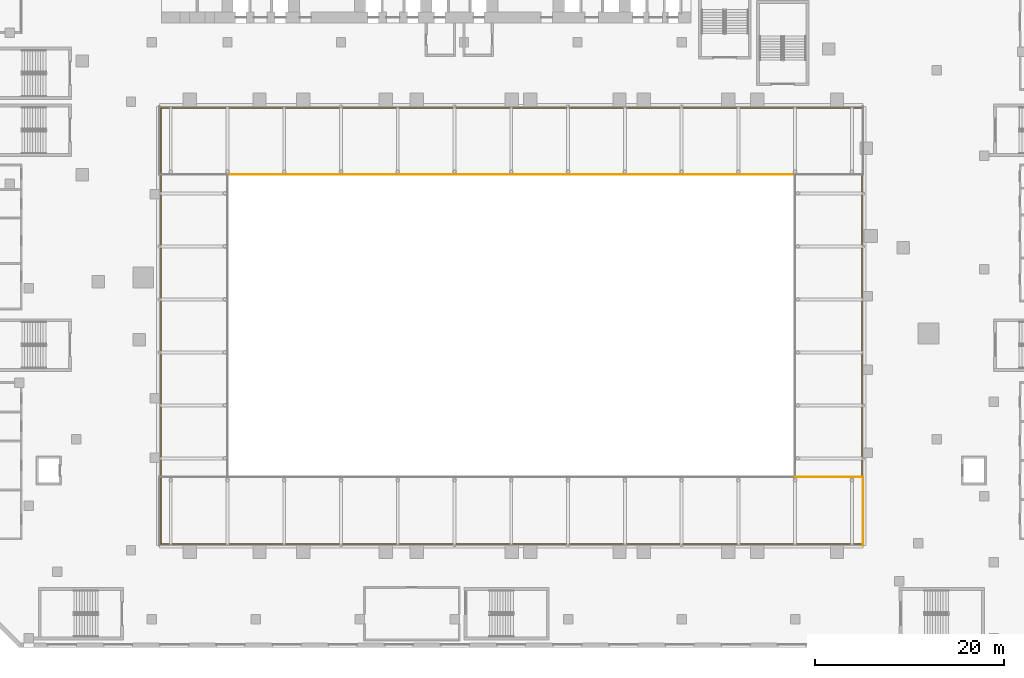
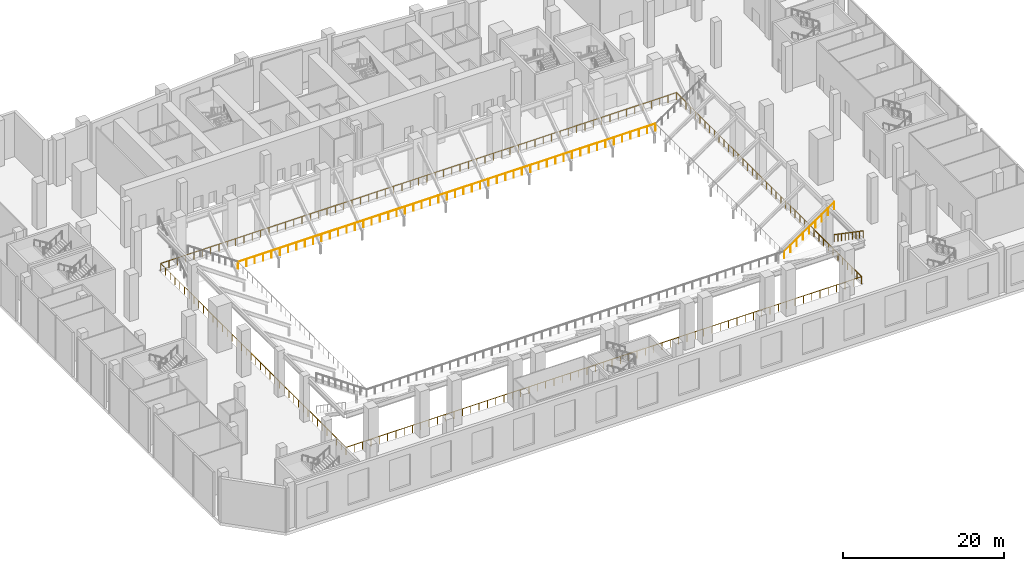
# One storey, part 35 of 41: 4 railings.
"""IFC4 building model written with IfcOpenShell, lengths in metres."""

import ifcopenshell
import ifcopenshell.guid

model = None  # the IFC model being written
_history = None  # IfcOwnerHistory: only IFC2X3 demands one
_inside = {}  # id of a spatial element -> (the spatial element, [elements in it])
_under = {}  # id of a project, library or spatial element -> (it, [spatial elements below it])
_declared = {}  # id of a project -> (the project, [libraries it declares])
_typed = {}  # id of a type object -> (the type object, [elements of that type])
_made_of = {}  # id of a material, layer set ... -> (it, [elements and type objects made of it])


def new_model(schema):
    """Start an empty IFC model of exactly this schema.

    Asked for "IFC4X3", IfcOpenShell would pick the latest addendum, in which some entities
    have other attributes; the version numbers below select the first issue.
    IFC2X3 requires an IfcOwnerHistory on every rooted entity: one is made here for all.
    """
    global model, _history
    if schema == "IFC4X3":
        model = ifcopenshell.file(schema_version=(4, 3, 0, 0))
    else:
        model = ifcopenshell.file(schema=schema)
    _inside.clear()
    _under.clear()
    _declared.clear()
    _typed.clear()
    _made_of.clear()
    _history = None
    if model.schema == "IFC2X3":
        org = make("IfcOrganization", Name="unknown")
        user = make(
            "IfcPersonAndOrganization",
            ThePerson=make("IfcPerson", FamilyName="unknown"),
            TheOrganization=org,
        )
        app = make(
            "IfcApplication",
            ApplicationDeveloper=org,
            Version="unknown",
            ApplicationFullName="unknown",
            ApplicationIdentifier="unknown",
        )
        _history = make(
            "IfcOwnerHistory",
            OwningUser=user,
            OwningApplication=app,
            ChangeAction="ADDED",
            CreationDate=0,
        )
    return model


def make(cls, **values):
    """One entity of the class cls with the attributes given. An attribute that is None is left unset."""
    return model.create_entity(
        cls, **{name: value for name, value in values.items() if value is not None}
    )


def rooted(cls, **values):
    """An entity with a GlobalId (a new one), such as an element, a storey or a relation."""
    return make(cls, GlobalId=ifcopenshell.guid.new(), OwnerHistory=_history, **values)


def si_unit(unit_type, name, prefix=None):
    """IfcSIUnit, for example si_unit("LENGTHUNIT", "METRE", prefix="MILLI")."""
    return make("IfcSIUnit", UnitType=unit_type, Prefix=prefix, Name=name)


def assignment(units):
    """IfcUnitAssignment: the units of a project."""
    return None if units is None else make("IfcUnitAssignment", Units=units)


def point(xyz):
    """IfcCartesianPoint."""
    return None if xyz is None else make("IfcCartesianPoint", Coordinates=xyz)


def direction(xyz):
    """IfcDirection."""
    return None if xyz is None else make("IfcDirection", DirectionRatios=xyz)


def frame(location, z_axis=None, x_axis=None):
    """IfcAxis2Placement3D, a coordinate frame: its origin and axes. An axis left out is left unset."""
    return make(
        "IfcAxis2Placement3D",
        Location=point(location),
        Axis=direction(z_axis),
        RefDirection=direction(x_axis),
    )


def frame_2d(location, x_axis=None):
    """IfcAxis2Placement2D, a coordinate frame in the plane: its origin and x axis."""
    return make(
        "IfcAxis2Placement2D", Location=point(location), RefDirection=direction(x_axis)
    )


def origin():
    """The frame at (0, 0, 0) with its axes left unset."""
    return frame((0.0, 0.0, 0.0))


def origin_2d():
    """The frame at (0, 0) in the plane with its x axis left unset."""
    return frame_2d((0.0, 0.0))


def place(relative_to, where):
    """IfcLocalPlacement: puts the frame where relative to a parent placement (None: the world)."""
    return make(
        "IfcLocalPlacement", PlacementRelTo=relative_to, RelativePlacement=where
    )


def context(
    kind, dimensions, precision=None, world=None, true_north=None, identifier=None
):
    """IfcGeometricRepresentationContext, for example the 3D "Model" context."""
    return make(
        "IfcGeometricRepresentationContext",
        ContextIdentifier=identifier,
        ContextType=kind,
        CoordinateSpaceDimension=dimensions,
        Precision=precision,
        WorldCoordinateSystem=world,
        TrueNorth=true_north,
    )


def subcontext(parent, identifier, kind, view, scale=None):
    """IfcGeometricRepresentationSubContext, for example "Body" below "Model"."""
    return make(
        "IfcGeometricRepresentationSubContext",
        ContextIdentifier=identifier,
        ContextType=kind,
        ParentContext=parent,
        TargetScale=scale,
        TargetView=view,
    )


def project(units=None, contexts=None):
    """IfcProject with its units and contexts."""
    return rooted(
        "IfcProject",
        Name="project",
        RepresentationContexts=contexts,
        UnitsInContext=assignment(units),
    )


def spatial(cls, under=None, at=None, **own):
    """A site, building, storey or space (cls), placed at a placement, below another one or the project."""
    s = rooted(cls, ObjectPlacement=at, **own)
    if under is not None:
        _under.setdefault(under.id(), (under, []))[1].append(s)
    return s


def profile(cls, at=None, kind="AREA", **sizes):
    """A parametric profile (cls). Its sizes go by their IFC names, for example OverallWidth=200.0."""
    return make(cls, ProfileType=kind, Position=at, **sizes)


def circle(**sizes):
    """IfcCircleProfileDef."""
    return profile("IfcCircleProfileDef", **sizes)


def extrude(swept, where, along, depth):
    """IfcExtrudedAreaSolid: the profile swept, set in the frame where, extruded along a direction by depth."""
    return make(
        "IfcExtrudedAreaSolid",
        SweptArea=swept,
        Position=where,
        ExtrudedDirection=direction(along),
        Depth=depth,
    )


def shape(context_of_items, identifier, shape_type, items):
    """IfcShapeRepresentation: the items that make up one representation, for example the "Body"."""
    return make(
        "IfcShapeRepresentation",
        ContextOfItems=context_of_items,
        RepresentationIdentifier=identifier,
        RepresentationType=shape_type,
        Items=items,
    )


def material(Name=None, Category=None):
    """IfcMaterial."""
    return make("IfcMaterial", Name=Name, Category=Category)


def made_of(thing, what):
    """Note that an element or type object is made of a material, layer set ...; save() writes the relation."""
    if what is not None:
        _made_of.setdefault(what.id(), (what, []))[1].append(thing)
    return thing


def type_object(cls, material=None, **own):
    """A type object (cls), such as IfcWallType, which elements share."""
    return made_of(rooted(cls, **own), material)


def element(
    cls,
    number,
    at=None,
    inside=None,
    cuts=None,
    type_object=None,
    material=None,
    context=None,
    identifier="Body",
    shape_type=None,
    held_by="IfcProductDefinitionShape",
    body=None,
    shapes=None,
    **own,
):
    """One element of the class cls, such as IfcWall. Its Tag is "e" and its number.

    at: its placement. inside: the storey or other place that contains it. cuts: it is an
    opening in that element (IfcRelVoidsElement). A single representation is given by context,
    identifier, shape_type and body (its items); several are given by shapes. held_by: the class
    of the entity that holds the representations. save() writes the other relations.
    """
    e = rooted(cls, Tag="e%d" % number, ObjectPlacement=at, **own)
    if body is not None:
        shapes = [shape(context, identifier, shape_type, body)]
    if shapes is not None:
        e.Representation = make(held_by, Representations=shapes)
    if inside is not None:
        _inside.setdefault(inside.id(), (inside, []))[1].append(e)
    if cuts is not None:
        rooted(
            "IfcRelVoidsElement", RelatingBuildingElement=cuts, RelatedOpeningElement=e
        )
    if type_object is not None:
        _typed.setdefault(type_object.id(), (type_object, []))[1].append(e)
    return made_of(e, material)


def aggregate(whole, parts):
    """IfcRelAggregates: a whole, such as a stair, and the parts it consists of."""
    return rooted("IfcRelAggregates", RelatingObject=whole, RelatedObjects=parts)


def save(model, path):
    """Write the relations noted so far, then the file.

    IfcRelAggregates (storeys below a building ...), IfcRelContainedInSpatialStructure (elements
    in a storey), IfcRelDefinesByType, IfcRelAssociatesMaterial and IfcRelDeclares: one each for
    every whole, place, type object, material and project.
    """
    for whole, parts in _under.values():
        aggregate(whole, parts)
    for where, things in _inside.values():
        rooted(
            "IfcRelContainedInSpatialStructure",
            RelatedElements=things,
            RelatingStructure=where,
        )
    for kind, things in _typed.values():
        rooted("IfcRelDefinesByType", RelatedObjects=things, RelatingType=kind)
    for what, things in _made_of.values():
        rooted("IfcRelAssociatesMaterial", RelatedObjects=things, RelatingMaterial=what)
    for by, libraries in _declared.values():
        rooted("IfcRelDeclares", RelatingContext=by, RelatedDefinitions=libraries)
    model.write(path)


model = new_model("IFC4")

# Units and contexts
model_context = context("Model", 3, precision=1e-05, world=origin(), true_north=direction((0.0, 1.0)))
body_context = subcontext(model_context, "Body", "Model", "MODEL_VIEW")
ifc_project = project(units=[si_unit("LENGTHUNIT", "METRE"), si_unit("AREAUNIT", "SQUARE_METRE"), si_unit("VOLUMEUNIT", "CUBIC_METRE"), si_unit("PLANEANGLEUNIT", "RADIAN"), si_unit("MASSUNIT", "GRAM", prefix="KILO")], contexts=[model_context])

# Site, building, storey
site_placement = place(None, origin())
site = spatial("IfcSite", under=ifc_project, at=site_placement, CompositionType="ELEMENT")
building_placement = place(site_placement, origin())
building = spatial("IfcBuilding", under=site, at=building_placement, Name="Wharfspan Tower", CompositionType="ELEMENT")
storey_placement = place(building_placement, frame((0.0, 0.0, 8.0)))
storey = spatial("IfcBuildingStorey", under=building, at=storey_placement, Name="L01", CompositionType="ELEMENT", Elevation=8.0)

# Railings
ifc_material = material(Name="Steel S355J2", Category="steel")
railing_type = type_object("IfcRailingType", Name="Guard 1100", PredefinedType="GUARDRAIL", material=ifc_material)
railing_1_placement = place(storey_placement, frame((8.949951, -21.050049, 0.0)))
element("IfcRailing", 1, at=railing_1_placement, inside=storey, type_object=railing_type, Name="Guard on the arena edge L01", PredefinedType="GUARDRAIL", context=body_context, shape_type="SweptSolid", body=[
    extrude(circle(Radius=0.024902, at=origin_2d()), frame((0.0, 0.0, 1.075195), z_axis=(1.0, 0.0, 0.0), x_axis=(0.0, 1.0, 0.0)), (0.0, 0.0, 1.0), 74.100098),
    extrude(circle(Radius=0.024902, at=origin_2d()), frame((74.100098, 0.0, 1.075195), z_axis=(0.0, 1.0, 0.0), x_axis=(-1.0, 0.0, 0.0)), (0.0, 0.0, 1.0), 46.100098),
    extrude(circle(Radius=0.024902, at=origin_2d()), frame((74.100098, 46.100098, 1.075195), z_axis=(-1.0, 0.0, 0.0), x_axis=(0.0, -1.0, 0.0)), (0.0, 0.0, 1.0), 74.100098),
    extrude(circle(Radius=0.024902, at=origin_2d()), frame((0.0, 46.100098, 1.075195), z_axis=(0.0, -1.0, 0.0), x_axis=(1.0, 0.0, 0.0)), (0.0, 0.0, 1.0), 46.100098),
    extrude(circle(Radius=0.02002, at=origin_2d()), origin(), (0.0, 0.0, 1.0), 1.050049),
    extrude(circle(Radius=0.02002, at=origin_2d()), frame((1.195068, 0.0, 0.0)), (0.0, 0.0, 1.0), 1.050049),
    extrude(circle(Radius=0.02002, at=origin_2d()), frame((2.390381, 0.0, 0.0)), (0.0, 0.0, 1.0), 1.050049),
    extrude(circle(Radius=0.02002, at=origin_2d()), frame((3.585449, 0.0, 0.0)), (0.0, 0.0, 1.0), 1.050049),
    extrude(circle(Radius=0.02002, at=origin_2d()), frame((4.780762, 0.0, 0.0)), (0.0, 0.0, 1.0), 1.050049),
    extrude(circle(Radius=0.02002, at=origin_2d()), frame((5.97583, 0.0, 0.0)), (0.0, 0.0, 1.0), 1.050049),
    extrude(circle(Radius=0.02002, at=origin_2d()), frame((7.170898, 0.0, 0.0)), (0.0, 0.0, 1.0), 1.050049),
    extrude(circle(Radius=0.02002, at=origin_2d()), frame((8.366211, 0.0, 0.0)), (0.0, 0.0, 1.0), 1.050049),
    extrude(circle(Radius=0.02002, at=origin_2d()), frame((9.561279, 0.0, 0.0)), (0.0, 0.0, 1.0), 1.050049),
    extrude(circle(Radius=0.02002, at=origin_2d()), frame((10.756348, 0.0, 0.0)), (0.0, 0.0, 1.0), 1.050049),
    extrude(circle(Radius=0.02002, at=origin_2d()), frame((11.95166, 0.0, 0.0)), (0.0, 0.0, 1.0), 1.050049),
    extrude(circle(Radius=0.02002, at=origin_2d()), frame((13.146729, 0.0, 0.0)), (0.0, 0.0, 1.0), 1.050049),
    extrude(circle(Radius=0.02002, at=origin_2d()), frame((14.342041, 0.0, 0.0)), (0.0, 0.0, 1.0), 1.050049),
    extrude(circle(Radius=0.02002, at=origin_2d()), frame((15.537109, 0.0, 0.0)), (0.0, 0.0, 1.0), 1.050049),
    extrude(circle(Radius=0.02002, at=origin_2d()), frame((16.732178, 0.0, 0.0)), (0.0, 0.0, 1.0), 1.050049),
    extrude(circle(Radius=0.02002, at=origin_2d()), frame((17.92749, 0.0, 0.0)), (0.0, 0.0, 1.0), 1.050049),
    extrude(circle(Radius=0.02002, at=origin_2d()), frame((19.122559, 0.0, 0.0)), (0.0, 0.0, 1.0), 1.050049),
    extrude(circle(Radius=0.02002, at=origin_2d()), frame((20.317871, 0.0, 0.0)), (0.0, 0.0, 1.0), 1.050049),
    extrude(circle(Radius=0.02002, at=origin_2d()), frame((21.512939, 0.0, 0.0)), (0.0, 0.0, 1.0), 1.050049),
    extrude(circle(Radius=0.02002, at=origin_2d()), frame((22.708008, 0.0, 0.0)), (0.0, 0.0, 1.0), 1.050049),
    extrude(circle(Radius=0.02002, at=origin_2d()), frame((23.90332, 0.0, 0.0)), (0.0, 0.0, 1.0), 1.050049),
    extrude(circle(Radius=0.02002, at=origin_2d()), frame((25.098389, 0.0, 0.0)), (0.0, 0.0, 1.0), 1.050049),
    extrude(circle(Radius=0.02002, at=origin_2d()), frame((26.293701, 0.0, 0.0)), (0.0, 0.0, 1.0), 1.050049),
    extrude(circle(Radius=0.02002, at=origin_2d()), frame((27.48877, 0.0, 0.0)), (0.0, 0.0, 1.0), 1.050049),
    extrude(circle(Radius=0.02002, at=origin_2d()), frame((28.683838, 0.0, 0.0)), (0.0, 0.0, 1.0), 1.050049),
    extrude(circle(Radius=0.02002, at=origin_2d()), frame((29.87915, 0.0, 0.0)), (0.0, 0.0, 1.0), 1.050049),
    extrude(circle(Radius=0.02002, at=origin_2d()), frame((31.074219, 0.0, 0.0)), (0.0, 0.0, 1.0), 1.050049),
    extrude(circle(Radius=0.02002, at=origin_2d()), frame((32.269287, 0.0, 0.0)), (0.0, 0.0, 1.0), 1.050049),
    extrude(circle(Radius=0.02002, at=origin_2d()), frame((33.4646, 0.0, 0.0)), (0.0, 0.0, 1.0), 1.050049),
    extrude(circle(Radius=0.02002, at=origin_2d()), frame((34.659668, 0.0, 0.0)), (0.0, 0.0, 1.0), 1.050049),
    extrude(circle(Radius=0.02002, at=origin_2d()), frame((35.85498, 0.0, 0.0)), (0.0, 0.0, 1.0), 1.050049),
    extrude(circle(Radius=0.02002, at=origin_2d()), frame((37.050049, 0.0, 0.0)), (0.0, 0.0, 1.0), 1.050049),
    extrude(circle(Radius=0.02002, at=origin_2d()), frame((38.245117, 0.0, 0.0)), (0.0, 0.0, 1.0), 1.050049),
    extrude(circle(Radius=0.02002, at=origin_2d()), frame((39.44043, 0.0, 0.0)), (0.0, 0.0, 1.0), 1.050049),
    extrude(circle(Radius=0.02002, at=origin_2d()), frame((40.635498, 0.0, 0.0)), (0.0, 0.0, 1.0), 1.050049),
    extrude(circle(Radius=0.02002, at=origin_2d()), frame((41.830811, 0.0, 0.0)), (0.0, 0.0, 1.0), 1.050049),
    extrude(circle(Radius=0.02002, at=origin_2d()), frame((43.025879, 0.0, 0.0)), (0.0, 0.0, 1.0), 1.050049),
    extrude(circle(Radius=0.02002, at=origin_2d()), frame((44.220947, 0.0, 0.0)), (0.0, 0.0, 1.0), 1.050049),
    extrude(circle(Radius=0.02002, at=origin_2d()), frame((45.41626, 0.0, 0.0)), (0.0, 0.0, 1.0), 1.050049),
    extrude(circle(Radius=0.02002, at=origin_2d()), frame((46.611328, 0.0, 0.0)), (0.0, 0.0, 1.0), 1.050049),
    extrude(circle(Radius=0.02002, at=origin_2d()), frame((47.806396, 0.0, 0.0)), (0.0, 0.0, 1.0), 1.050049),
    extrude(circle(Radius=0.02002, at=origin_2d()), frame((49.001709, 0.0, 0.0)), (0.0, 0.0, 1.0), 1.050049),
    extrude(circle(Radius=0.02002, at=origin_2d()), frame((50.196777, 0.0, 0.0)), (0.0, 0.0, 1.0), 1.050049),
    extrude(circle(Radius=0.02002, at=origin_2d()), frame((51.39209, 0.0, 0.0)), (0.0, 0.0, 1.0), 1.050049),
    extrude(circle(Radius=0.02002, at=origin_2d()), frame((52.587158, 0.0, 0.0)), (0.0, 0.0, 1.0), 1.050049),
    extrude(circle(Radius=0.02002, at=origin_2d()), frame((53.782227, 0.0, 0.0)), (0.0, 0.0, 1.0), 1.050049),
    extrude(circle(Radius=0.02002, at=origin_2d()), frame((54.977539, 0.0, 0.0)), (0.0, 0.0, 1.0), 1.050049),
    extrude(circle(Radius=0.02002, at=origin_2d()), frame((56.172607, 0.0, 0.0)), (0.0, 0.0, 1.0), 1.050049),
    extrude(circle(Radius=0.02002, at=origin_2d()), frame((57.36792, 0.0, 0.0)), (0.0, 0.0, 1.0), 1.050049),
    extrude(circle(Radius=0.02002, at=origin_2d()), frame((58.562988, 0.0, 0.0)), (0.0, 0.0, 1.0), 1.050049),
    extrude(circle(Radius=0.02002, at=origin_2d()), frame((59.758057, 0.0, 0.0)), (0.0, 0.0, 1.0), 1.050049),
    extrude(circle(Radius=0.02002, at=origin_2d()), frame((60.953369, 0.0, 0.0)), (0.0, 0.0, 1.0), 1.050049),
    extrude(circle(Radius=0.02002, at=origin_2d()), frame((62.148438, 0.0, 0.0)), (0.0, 0.0, 1.0), 1.050049),
    extrude(circle(Radius=0.02002, at=origin_2d()), frame((63.34375, 0.0, 0.0)), (0.0, 0.0, 1.0), 1.050049),
    extrude(circle(Radius=0.02002, at=origin_2d()), frame((64.538818, 0.0, 0.0)), (0.0, 0.0, 1.0), 1.050049),
    extrude(circle(Radius=0.02002, at=origin_2d()), frame((65.733887, 0.0, 0.0)), (0.0, 0.0, 1.0), 1.050049),
    extrude(circle(Radius=0.02002, at=origin_2d()), frame((66.929199, 0.0, 0.0)), (0.0, 0.0, 1.0), 1.050049),
    extrude(circle(Radius=0.02002, at=origin_2d()), frame((68.124268, 0.0, 0.0)), (0.0, 0.0, 1.0), 1.050049),
    extrude(circle(Radius=0.02002, at=origin_2d()), frame((69.319336, 0.0, 0.0)), (0.0, 0.0, 1.0), 1.050049),
    extrude(circle(Radius=0.02002, at=origin_2d()), frame((70.514648, 0.0, 0.0)), (0.0, 0.0, 1.0), 1.050049),
    extrude(circle(Radius=0.02002, at=origin_2d()), frame((71.709717, 0.0, 0.0)), (0.0, 0.0, 1.0), 1.050049),
    extrude(circle(Radius=0.02002, at=origin_2d()), frame((72.905029, 0.0, 0.0)), (0.0, 0.0, 1.0), 1.050049),
    extrude(circle(Radius=0.02002, at=origin_2d()), frame((74.100098, 0.0, 0.0)), (0.0, 0.0, 1.0), 1.050049),
    extrude(circle(Radius=0.02002, at=origin_2d()), frame((74.100098, 1.182129, 0.0)), (0.0, 0.0, 1.0), 1.050049),
    extrude(circle(Radius=0.02002, at=origin_2d()), frame((74.100098, 2.364014, 0.0)), (0.0, 0.0, 1.0), 1.050049),
    extrude(circle(Radius=0.02002, at=origin_2d()), frame((74.100098, 3.546143, 0.0)), (0.0, 0.0, 1.0), 1.050049),
    extrude(circle(Radius=0.02002, at=origin_2d()), frame((74.100098, 4.728271, 0.0)), (0.0, 0.0, 1.0), 1.050049),
    extrude(circle(Radius=0.02002, at=origin_2d()), frame((74.100098, 5.910156, 0.0)), (0.0, 0.0, 1.0), 1.050049),
    extrude(circle(Radius=0.02002, at=origin_2d()), frame((74.100098, 7.092285, 0.0)), (0.0, 0.0, 1.0), 1.050049),
    extrude(circle(Radius=0.02002, at=origin_2d()), frame((74.100098, 8.274414, 0.0)), (0.0, 0.0, 1.0), 1.050049),
    extrude(circle(Radius=0.02002, at=origin_2d()), frame((74.100098, 9.456543, 0.0)), (0.0, 0.0, 1.0), 1.050049),
    extrude(circle(Radius=0.02002, at=origin_2d()), frame((74.100098, 10.638428, 0.0)), (0.0, 0.0, 1.0), 1.050049),
    extrude(circle(Radius=0.02002, at=origin_2d()), frame((74.100098, 11.820557, 0.0)), (0.0, 0.0, 1.0), 1.050049),
    extrude(circle(Radius=0.02002, at=origin_2d()), frame((74.100098, 13.002686, 0.0)), (0.0, 0.0, 1.0), 1.050049),
    extrude(circle(Radius=0.02002, at=origin_2d()), frame((74.100098, 14.18457, 0.0)), (0.0, 0.0, 1.0), 1.050049),
    extrude(circle(Radius=0.02002, at=origin_2d()), frame((74.100098, 15.366699, 0.0)), (0.0, 0.0, 1.0), 1.050049),
    extrude(circle(Radius=0.02002, at=origin_2d()), frame((74.100098, 16.548828, 0.0)), (0.0, 0.0, 1.0), 1.050049),
    extrude(circle(Radius=0.02002, at=origin_2d()), frame((74.100098, 17.730713, 0.0)), (0.0, 0.0, 1.0), 1.050049),
    extrude(circle(Radius=0.02002, at=origin_2d()), frame((74.100098, 18.912842, 0.0)), (0.0, 0.0, 1.0), 1.050049),
    extrude(circle(Radius=0.02002, at=origin_2d()), frame((74.100098, 20.094971, 0.0)), (0.0, 0.0, 1.0), 1.050049),
    extrude(circle(Radius=0.02002, at=origin_2d()), frame((74.100098, 21.276855, 0.0)), (0.0, 0.0, 1.0), 1.050049),
    extrude(circle(Radius=0.02002, at=origin_2d()), frame((74.100098, 22.458984, 0.0)), (0.0, 0.0, 1.0), 1.050049),
    extrude(circle(Radius=0.02002, at=origin_2d()), frame((74.100098, 23.641113, 0.0)), (0.0, 0.0, 1.0), 1.050049),
    extrude(circle(Radius=0.02002, at=origin_2d()), frame((74.100098, 24.823242, 0.0)), (0.0, 0.0, 1.0), 1.050049),
    extrude(circle(Radius=0.02002, at=origin_2d()), frame((74.100098, 26.005127, 0.0)), (0.0, 0.0, 1.0), 1.050049),
    extrude(circle(Radius=0.02002, at=origin_2d()), frame((74.100098, 27.187256, 0.0)), (0.0, 0.0, 1.0), 1.050049),
    extrude(circle(Radius=0.02002, at=origin_2d()), frame((74.100098, 28.369385, 0.0)), (0.0, 0.0, 1.0), 1.050049),
    extrude(circle(Radius=0.02002, at=origin_2d()), frame((74.100098, 29.55127, 0.0)), (0.0, 0.0, 1.0), 1.050049),
    extrude(circle(Radius=0.02002, at=origin_2d()), frame((74.100098, 30.733398, 0.0)), (0.0, 0.0, 1.0), 1.050049),
    extrude(circle(Radius=0.02002, at=origin_2d()), frame((74.100098, 31.915527, 0.0)), (0.0, 0.0, 1.0), 1.050049),
    extrude(circle(Radius=0.02002, at=origin_2d()), frame((74.100098, 33.097412, 0.0)), (0.0, 0.0, 1.0), 1.050049),
    extrude(circle(Radius=0.02002, at=origin_2d()), frame((74.100098, 34.279541, 0.0)), (0.0, 0.0, 1.0), 1.050049),
    extrude(circle(Radius=0.02002, at=origin_2d()), frame((74.100098, 35.46167, 0.0)), (0.0, 0.0, 1.0), 1.050049),
    extrude(circle(Radius=0.02002, at=origin_2d()), frame((74.100098, 36.643555, 0.0)), (0.0, 0.0, 1.0), 1.050049),
    extrude(circle(Radius=0.02002, at=origin_2d()), frame((74.100098, 37.825684, 0.0)), (0.0, 0.0, 1.0), 1.050049),
    extrude(circle(Radius=0.02002, at=origin_2d()), frame((74.100098, 39.007812, 0.0)), (0.0, 0.0, 1.0), 1.050049),
    extrude(circle(Radius=0.02002, at=origin_2d()), frame((74.100098, 40.189941, 0.0)), (0.0, 0.0, 1.0), 1.050049),
    extrude(circle(Radius=0.02002, at=origin_2d()), frame((74.100098, 41.371826, 0.0)), (0.0, 0.0, 1.0), 1.050049),
    extrude(circle(Radius=0.02002, at=origin_2d()), frame((74.100098, 42.553955, 0.0)), (0.0, 0.0, 1.0), 1.050049),
    extrude(circle(Radius=0.02002, at=origin_2d()), frame((74.100098, 43.736084, 0.0)), (0.0, 0.0, 1.0), 1.050049),
    extrude(circle(Radius=0.02002, at=origin_2d()), frame((74.100098, 44.917969, 0.0)), (0.0, 0.0, 1.0), 1.050049),
    extrude(circle(Radius=0.02002, at=origin_2d()), frame((74.100098, 46.100098, 0.0)), (0.0, 0.0, 1.0), 1.050049),
    extrude(circle(Radius=0.02002, at=origin_2d()), frame((72.905029, 46.100098, 0.0)), (0.0, 0.0, 1.0), 1.050049),
    extrude(circle(Radius=0.02002, at=origin_2d()), frame((71.709717, 46.100098, 0.0)), (0.0, 0.0, 1.0), 1.050049),
    extrude(circle(Radius=0.02002, at=origin_2d()), frame((70.514648, 46.100098, 0.0)), (0.0, 0.0, 1.0), 1.050049),
    extrude(circle(Radius=0.02002, at=origin_2d()), frame((69.319336, 46.100098, 0.0)), (0.0, 0.0, 1.0), 1.050049),
    extrude(circle(Radius=0.02002, at=origin_2d()), frame((68.124268, 46.100098, 0.0)), (0.0, 0.0, 1.0), 1.050049),
    extrude(circle(Radius=0.02002, at=origin_2d()), frame((66.929199, 46.100098, 0.0)), (0.0, 0.0, 1.0), 1.050049),
    extrude(circle(Radius=0.02002, at=origin_2d()), frame((65.733887, 46.100098, 0.0)), (0.0, 0.0, 1.0), 1.050049),
    extrude(circle(Radius=0.02002, at=origin_2d()), frame((64.538818, 46.100098, 0.0)), (0.0, 0.0, 1.0), 1.050049),
    extrude(circle(Radius=0.02002, at=origin_2d()), frame((63.34375, 46.100098, 0.0)), (0.0, 0.0, 1.0), 1.050049),
    extrude(circle(Radius=0.02002, at=origin_2d()), frame((62.148438, 46.100098, 0.0)), (0.0, 0.0, 1.0), 1.050049),
    extrude(circle(Radius=0.02002, at=origin_2d()), frame((60.953369, 46.100098, 0.0)), (0.0, 0.0, 1.0), 1.050049),
    extrude(circle(Radius=0.02002, at=origin_2d()), frame((59.758057, 46.100098, 0.0)), (0.0, 0.0, 1.0), 1.050049),
    extrude(circle(Radius=0.02002, at=origin_2d()), frame((58.562988, 46.100098, 0.0)), (0.0, 0.0, 1.0), 1.050049),
    extrude(circle(Radius=0.02002, at=origin_2d()), frame((57.36792, 46.100098, 0.0)), (0.0, 0.0, 1.0), 1.050049),
    extrude(circle(Radius=0.02002, at=origin_2d()), frame((56.172607, 46.100098, 0.0)), (0.0, 0.0, 1.0), 1.050049),
    extrude(circle(Radius=0.02002, at=origin_2d()), frame((54.977539, 46.100098, 0.0)), (0.0, 0.0, 1.0), 1.050049),
    extrude(circle(Radius=0.02002, at=origin_2d()), frame((53.782227, 46.100098, 0.0)), (0.0, 0.0, 1.0), 1.050049),
    extrude(circle(Radius=0.02002, at=origin_2d()), frame((52.587158, 46.100098, 0.0)), (0.0, 0.0, 1.0), 1.050049),
    extrude(circle(Radius=0.02002, at=origin_2d()), frame((51.39209, 46.100098, 0.0)), (0.0, 0.0, 1.0), 1.050049),
    extrude(circle(Radius=0.02002, at=origin_2d()), frame((50.196777, 46.100098, 0.0)), (0.0, 0.0, 1.0), 1.050049),
    extrude(circle(Radius=0.02002, at=origin_2d()), frame((49.001709, 46.100098, 0.0)), (0.0, 0.0, 1.0), 1.050049),
    extrude(circle(Radius=0.02002, at=origin_2d()), frame((47.806396, 46.100098, 0.0)), (0.0, 0.0, 1.0), 1.050049),
    extrude(circle(Radius=0.02002, at=origin_2d()), frame((46.611328, 46.100098, 0.0)), (0.0, 0.0, 1.0), 1.050049),
    extrude(circle(Radius=0.02002, at=origin_2d()), frame((45.41626, 46.100098, 0.0)), (0.0, 0.0, 1.0), 1.050049),
    extrude(circle(Radius=0.02002, at=origin_2d()), frame((44.220947, 46.100098, 0.0)), (0.0, 0.0, 1.0), 1.050049),
    extrude(circle(Radius=0.02002, at=origin_2d()), frame((43.025879, 46.100098, 0.0)), (0.0, 0.0, 1.0), 1.050049),
    extrude(circle(Radius=0.02002, at=origin_2d()), frame((41.830811, 46.100098, 0.0)), (0.0, 0.0, 1.0), 1.050049),
    extrude(circle(Radius=0.02002, at=origin_2d()), frame((40.635498, 46.100098, 0.0)), (0.0, 0.0, 1.0), 1.050049),
    extrude(circle(Radius=0.02002, at=origin_2d()), frame((39.44043, 46.100098, 0.0)), (0.0, 0.0, 1.0), 1.050049),
    extrude(circle(Radius=0.02002, at=origin_2d()), frame((38.245117, 46.100098, 0.0)), (0.0, 0.0, 1.0), 1.050049),
    extrude(circle(Radius=0.02002, at=origin_2d()), frame((37.050049, 46.100098, 0.0)), (0.0, 0.0, 1.0), 1.050049),
    extrude(circle(Radius=0.02002, at=origin_2d()), frame((35.85498, 46.100098, 0.0)), (0.0, 0.0, 1.0), 1.050049),
    extrude(circle(Radius=0.02002, at=origin_2d()), frame((34.659668, 46.100098, 0.0)), (0.0, 0.0, 1.0), 1.050049),
    extrude(circle(Radius=0.02002, at=origin_2d()), frame((33.4646, 46.100098, 0.0)), (0.0, 0.0, 1.0), 1.050049),
    extrude(circle(Radius=0.02002, at=origin_2d()), frame((32.269287, 46.100098, 0.0)), (0.0, 0.0, 1.0), 1.050049),
    extrude(circle(Radius=0.02002, at=origin_2d()), frame((31.074219, 46.100098, 0.0)), (0.0, 0.0, 1.0), 1.050049),
    extrude(circle(Radius=0.02002, at=origin_2d()), frame((29.87915, 46.100098, 0.0)), (0.0, 0.0, 1.0), 1.050049),
    extrude(circle(Radius=0.02002, at=origin_2d()), frame((28.683838, 46.100098, 0.0)), (0.0, 0.0, 1.0), 1.050049),
    extrude(circle(Radius=0.02002, at=origin_2d()), frame((27.48877, 46.100098, 0.0)), (0.0, 0.0, 1.0), 1.050049),
    extrude(circle(Radius=0.02002, at=origin_2d()), frame((26.293701, 46.100098, 0.0)), (0.0, 0.0, 1.0), 1.050049),
    extrude(circle(Radius=0.02002, at=origin_2d()), frame((25.098389, 46.100098, 0.0)), (0.0, 0.0, 1.0), 1.050049),
    extrude(circle(Radius=0.02002, at=origin_2d()), frame((23.90332, 46.100098, 0.0)), (0.0, 0.0, 1.0), 1.050049),
    extrude(circle(Radius=0.02002, at=origin_2d()), frame((22.708008, 46.100098, 0.0)), (0.0, 0.0, 1.0), 1.050049),
    extrude(circle(Radius=0.02002, at=origin_2d()), frame((21.512939, 46.100098, 0.0)), (0.0, 0.0, 1.0), 1.050049),
    extrude(circle(Radius=0.02002, at=origin_2d()), frame((20.317871, 46.100098, 0.0)), (0.0, 0.0, 1.0), 1.050049),
    extrude(circle(Radius=0.02002, at=origin_2d()), frame((19.122559, 46.100098, 0.0)), (0.0, 0.0, 1.0), 1.050049),
    extrude(circle(Radius=0.02002, at=origin_2d()), frame((17.92749, 46.100098, 0.0)), (0.0, 0.0, 1.0), 1.050049),
    extrude(circle(Radius=0.02002, at=origin_2d()), frame((16.732178, 46.100098, 0.0)), (0.0, 0.0, 1.0), 1.050049),
    extrude(circle(Radius=0.02002, at=origin_2d()), frame((15.537109, 46.100098, 0.0)), (0.0, 0.0, 1.0), 1.050049),
    extrude(circle(Radius=0.02002, at=origin_2d()), frame((14.342041, 46.100098, 0.0)), (0.0, 0.0, 1.0), 1.050049),
    extrude(circle(Radius=0.02002, at=origin_2d()), frame((13.146729, 46.100098, 0.0)), (0.0, 0.0, 1.0), 1.050049),
    extrude(circle(Radius=0.02002, at=origin_2d()), frame((11.95166, 46.100098, 0.0)), (0.0, 0.0, 1.0), 1.050049),
    extrude(circle(Radius=0.02002, at=origin_2d()), frame((10.756348, 46.100098, 0.0)), (0.0, 0.0, 1.0), 1.050049),
    extrude(circle(Radius=0.02002, at=origin_2d()), frame((9.561279, 46.100098, 0.0)), (0.0, 0.0, 1.0), 1.050049),
    extrude(circle(Radius=0.02002, at=origin_2d()), frame((8.366211, 46.100098, 0.0)), (0.0, 0.0, 1.0), 1.050049),
    extrude(circle(Radius=0.02002, at=origin_2d()), frame((7.170898, 46.100098, 0.0)), (0.0, 0.0, 1.0), 1.050049),
    extrude(circle(Radius=0.02002, at=origin_2d()), frame((5.97583, 46.100098, 0.0)), (0.0, 0.0, 1.0), 1.050049),
    extrude(circle(Radius=0.02002, at=origin_2d()), frame((4.780762, 46.100098, 0.0)), (0.0, 0.0, 1.0), 1.050049),
    extrude(circle(Radius=0.02002, at=origin_2d()), frame((3.585449, 46.100098, 0.0)), (0.0, 0.0, 1.0), 1.050049),
    extrude(circle(Radius=0.02002, at=origin_2d()), frame((2.390381, 46.100098, 0.0)), (0.0, 0.0, 1.0), 1.050049),
    extrude(circle(Radius=0.02002, at=origin_2d()), frame((1.195068, 46.100098, 0.0)), (0.0, 0.0, 1.0), 1.050049),
    extrude(circle(Radius=0.02002, at=origin_2d()), frame((0.0, 46.100098, 0.0)), (0.0, 0.0, 1.0), 1.050049),
    extrude(circle(Radius=0.02002, at=origin_2d()), frame((0.0, 44.917969, 0.0)), (0.0, 0.0, 1.0), 1.050049),
    extrude(circle(Radius=0.02002, at=origin_2d()), frame((0.0, 43.736084, 0.0)), (0.0, 0.0, 1.0), 1.050049),
    extrude(circle(Radius=0.02002, at=origin_2d()), frame((0.0, 42.553955, 0.0)), (0.0, 0.0, 1.0), 1.050049),
    extrude(circle(Radius=0.02002, at=origin_2d()), frame((0.0, 41.371826, 0.0)), (0.0, 0.0, 1.0), 1.050049),
    extrude(circle(Radius=0.02002, at=origin_2d()), frame((0.0, 40.189941, 0.0)), (0.0, 0.0, 1.0), 1.050049),
    extrude(circle(Radius=0.02002, at=origin_2d()), frame((0.0, 39.007812, 0.0)), (0.0, 0.0, 1.0), 1.050049),
    extrude(circle(Radius=0.02002, at=origin_2d()), frame((0.0, 37.825684, 0.0)), (0.0, 0.0, 1.0), 1.050049),
    extrude(circle(Radius=0.02002, at=origin_2d()), frame((0.0, 36.643555, 0.0)), (0.0, 0.0, 1.0), 1.050049),
    extrude(circle(Radius=0.02002, at=origin_2d()), frame((0.0, 35.46167, 0.0)), (0.0, 0.0, 1.0), 1.050049),
    extrude(circle(Radius=0.02002, at=origin_2d()), frame((0.0, 34.279541, 0.0)), (0.0, 0.0, 1.0), 1.050049),
    extrude(circle(Radius=0.02002, at=origin_2d()), frame((0.0, 33.097412, 0.0)), (0.0, 0.0, 1.0), 1.050049),
    extrude(circle(Radius=0.02002, at=origin_2d()), frame((0.0, 31.915527, 0.0)), (0.0, 0.0, 1.0), 1.050049),
    extrude(circle(Radius=0.02002, at=origin_2d()), frame((0.0, 30.733398, 0.0)), (0.0, 0.0, 1.0), 1.050049),
    extrude(circle(Radius=0.02002, at=origin_2d()), frame((0.0, 29.55127, 0.0)), (0.0, 0.0, 1.0), 1.050049),
    extrude(circle(Radius=0.02002, at=origin_2d()), frame((0.0, 28.369385, 0.0)), (0.0, 0.0, 1.0), 1.050049),
    extrude(circle(Radius=0.02002, at=origin_2d()), frame((0.0, 27.187256, 0.0)), (0.0, 0.0, 1.0), 1.050049),
    extrude(circle(Radius=0.02002, at=origin_2d()), frame((0.0, 26.005127, 0.0)), (0.0, 0.0, 1.0), 1.050049),
    extrude(circle(Radius=0.02002, at=origin_2d()), frame((0.0, 24.823242, 0.0)), (0.0, 0.0, 1.0), 1.050049),
    extrude(circle(Radius=0.02002, at=origin_2d()), frame((0.0, 23.641113, 0.0)), (0.0, 0.0, 1.0), 1.050049),
    extrude(circle(Radius=0.02002, at=origin_2d()), frame((0.0, 22.458984, 0.0)), (0.0, 0.0, 1.0), 1.050049),
    extrude(circle(Radius=0.02002, at=origin_2d()), frame((0.0, 21.276855, 0.0)), (0.0, 0.0, 1.0), 1.050049),
    extrude(circle(Radius=0.02002, at=origin_2d()), frame((0.0, 20.094971, 0.0)), (0.0, 0.0, 1.0), 1.050049),
    extrude(circle(Radius=0.02002, at=origin_2d()), frame((0.0, 18.912842, 0.0)), (0.0, 0.0, 1.0), 1.050049),
    extrude(circle(Radius=0.02002, at=origin_2d()), frame((0.0, 17.730713, 0.0)), (0.0, 0.0, 1.0), 1.050049),
    extrude(circle(Radius=0.02002, at=origin_2d()), frame((0.0, 16.548828, 0.0)), (0.0, 0.0, 1.0), 1.050049),
    extrude(circle(Radius=0.02002, at=origin_2d()), frame((0.0, 15.366699, 0.0)), (0.0, 0.0, 1.0), 1.050049),
    extrude(circle(Radius=0.02002, at=origin_2d()), frame((0.0, 14.18457, 0.0)), (0.0, 0.0, 1.0), 1.050049),
    extrude(circle(Radius=0.02002, at=origin_2d()), frame((0.0, 13.002686, 0.0)), (0.0, 0.0, 1.0), 1.050049),
    extrude(circle(Radius=0.02002, at=origin_2d()), frame((0.0, 11.820557, 0.0)), (0.0, 0.0, 1.0), 1.050049),
    extrude(circle(Radius=0.02002, at=origin_2d()), frame((0.0, 10.638428, 0.0)), (0.0, 0.0, 1.0), 1.050049),
    extrude(circle(Radius=0.02002, at=origin_2d()), frame((0.0, 9.456543, 0.0)), (0.0, 0.0, 1.0), 1.050049),
    extrude(circle(Radius=0.02002, at=origin_2d()), frame((0.0, 8.274414, 0.0)), (0.0, 0.0, 1.0), 1.050049),
    extrude(circle(Radius=0.02002, at=origin_2d()), frame((0.0, 7.092285, 0.0)), (0.0, 0.0, 1.0), 1.050049),
    extrude(circle(Radius=0.02002, at=origin_2d()), frame((0.0, 5.910156, 0.0)), (0.0, 0.0, 1.0), 1.050049),
    extrude(circle(Radius=0.02002, at=origin_2d()), frame((0.0, 4.728271, 0.0)), (0.0, 0.0, 1.0), 1.050049),
    extrude(circle(Radius=0.02002, at=origin_2d()), frame((0.0, 3.546143, 0.0)), (0.0, 0.0, 1.0), 1.050049),
    extrude(circle(Radius=0.02002, at=origin_2d()), frame((0.0, 2.364014, 0.0)), (0.0, 0.0, 1.0), 1.050049),
    extrude(circle(Radius=0.02002, at=origin_2d()), frame((0.0, 1.182129, 0.0)), (0.0, 0.0, 1.0), 1.050049),
])
railing_2_placement = place(storey_placement, frame((16.0, 18.0, 2.050049)))
element("IfcRailing", 2, at=railing_2_placement, inside=storey, type_object=railing_type, Name="Guard on the upper tier", PredefinedType="GUARDRAIL", context=body_context, shape_type="SweptSolid", body=[
    extrude(circle(Radius=0.024902, at=origin_2d()), frame((0.0, 0.0, 1.075195), z_axis=(1.0, 0.0, 0.0), x_axis=(0.0, 1.0, 0.0)), (0.0, 0.0, 1.0), 60.0),
    extrude(circle(Radius=0.02002, at=origin_2d()), origin(), (0.0, 0.0, 1.0), 1.050049),
    extrude(circle(Radius=0.02002, at=origin_2d()), frame((1.199951, 0.0, 0.0)), (0.0, 0.0, 1.0), 1.050049),
    extrude(circle(Radius=0.02002, at=origin_2d()), frame((2.399902, 0.0, 0.0)), (0.0, 0.0, 1.0), 1.050049),
    extrude(circle(Radius=0.02002, at=origin_2d()), frame((3.600098, 0.0, 0.0)), (0.0, 0.0, 1.0), 1.050049),
    extrude(circle(Radius=0.02002, at=origin_2d()), frame((4.800049, 0.0, 0.0)), (0.0, 0.0, 1.0), 1.050049),
    extrude(circle(Radius=0.02002, at=origin_2d()), frame((6.0, 0.0, 0.0)), (0.0, 0.0, 1.0), 1.050049),
    extrude(circle(Radius=0.02002, at=origin_2d()), frame((7.199951, 0.0, 0.0)), (0.0, 0.0, 1.0), 1.050049),
    extrude(circle(Radius=0.02002, at=origin_2d()), frame((8.399902, 0.0, 0.0)), (0.0, 0.0, 1.0), 1.050049),
    extrude(circle(Radius=0.02002, at=origin_2d()), frame((9.600098, 0.0, 0.0)), (0.0, 0.0, 1.0), 1.050049),
    extrude(circle(Radius=0.02002, at=origin_2d()), frame((10.800049, 0.0, 0.0)), (0.0, 0.0, 1.0), 1.050049),
    extrude(circle(Radius=0.02002, at=origin_2d()), frame((12.0, 0.0, 0.0)), (0.0, 0.0, 1.0), 1.050049),
    extrude(circle(Radius=0.02002, at=origin_2d()), frame((13.199951, 0.0, 0.0)), (0.0, 0.0, 1.0), 1.050049),
    extrude(circle(Radius=0.02002, at=origin_2d()), frame((14.399902, 0.0, 0.0)), (0.0, 0.0, 1.0), 1.050049),
    extrude(circle(Radius=0.02002, at=origin_2d()), frame((15.600098, 0.0, 0.0)), (0.0, 0.0, 1.0), 1.050049),
    extrude(circle(Radius=0.02002, at=origin_2d()), frame((16.800049, 0.0, 0.0)), (0.0, 0.0, 1.0), 1.050049),
    extrude(circle(Radius=0.02002, at=origin_2d()), frame((18.0, 0.0, 0.0)), (0.0, 0.0, 1.0), 1.050049),
    extrude(circle(Radius=0.02002, at=origin_2d()), frame((19.199951, 0.0, 0.0)), (0.0, 0.0, 1.0), 1.050049),
    extrude(circle(Radius=0.02002, at=origin_2d()), frame((20.399902, 0.0, 0.0)), (0.0, 0.0, 1.0), 1.050049),
    extrude(circle(Radius=0.02002, at=origin_2d()), frame((21.600098, 0.0, 0.0)), (0.0, 0.0, 1.0), 1.050049),
    extrude(circle(Radius=0.02002, at=origin_2d()), frame((22.800049, 0.0, 0.0)), (0.0, 0.0, 1.0), 1.050049),
    extrude(circle(Radius=0.02002, at=origin_2d()), frame((24.0, 0.0, 0.0)), (0.0, 0.0, 1.0), 1.050049),
    extrude(circle(Radius=0.02002, at=origin_2d()), frame((25.199951, 0.0, 0.0)), (0.0, 0.0, 1.0), 1.050049),
    extrude(circle(Radius=0.02002, at=origin_2d()), frame((26.399902, 0.0, 0.0)), (0.0, 0.0, 1.0), 1.050049),
    extrude(circle(Radius=0.02002, at=origin_2d()), frame((27.600098, 0.0, 0.0)), (0.0, 0.0, 1.0), 1.050049),
    extrude(circle(Radius=0.02002, at=origin_2d()), frame((28.800049, 0.0, 0.0)), (0.0, 0.0, 1.0), 1.050049),
    extrude(circle(Radius=0.02002, at=origin_2d()), frame((30.0, 0.0, 0.0)), (0.0, 0.0, 1.0), 1.050049),
    extrude(circle(Radius=0.02002, at=origin_2d()), frame((31.199951, 0.0, 0.0)), (0.0, 0.0, 1.0), 1.050049),
    extrude(circle(Radius=0.02002, at=origin_2d()), frame((32.399902, 0.0, 0.0)), (0.0, 0.0, 1.0), 1.050049),
    extrude(circle(Radius=0.02002, at=origin_2d()), frame((33.600098, 0.0, 0.0)), (0.0, 0.0, 1.0), 1.050049),
    extrude(circle(Radius=0.02002, at=origin_2d()), frame((34.800049, 0.0, 0.0)), (0.0, 0.0, 1.0), 1.050049),
    extrude(circle(Radius=0.02002, at=origin_2d()), frame((36.0, 0.0, 0.0)), (0.0, 0.0, 1.0), 1.050049),
    extrude(circle(Radius=0.02002, at=origin_2d()), frame((37.199951, 0.0, 0.0)), (0.0, 0.0, 1.0), 1.050049),
    extrude(circle(Radius=0.02002, at=origin_2d()), frame((38.399902, 0.0, 0.0)), (0.0, 0.0, 1.0), 1.050049),
    extrude(circle(Radius=0.02002, at=origin_2d()), frame((39.600098, 0.0, 0.0)), (0.0, 0.0, 1.0), 1.050049),
    extrude(circle(Radius=0.02002, at=origin_2d()), frame((40.800049, 0.0, 0.0)), (0.0, 0.0, 1.0), 1.050049),
    extrude(circle(Radius=0.02002, at=origin_2d()), frame((42.0, 0.0, 0.0)), (0.0, 0.0, 1.0), 1.050049),
    extrude(circle(Radius=0.02002, at=origin_2d()), frame((43.199951, 0.0, 0.0)), (0.0, 0.0, 1.0), 1.050049),
    extrude(circle(Radius=0.02002, at=origin_2d()), frame((44.399902, 0.0, 0.0)), (0.0, 0.0, 1.0), 1.050049),
    extrude(circle(Radius=0.02002, at=origin_2d()), frame((45.600098, 0.0, 0.0)), (0.0, 0.0, 1.0), 1.050049),
    extrude(circle(Radius=0.02002, at=origin_2d()), frame((46.800049, 0.0, 0.0)), (0.0, 0.0, 1.0), 1.050049),
    extrude(circle(Radius=0.02002, at=origin_2d()), frame((48.0, 0.0, 0.0)), (0.0, 0.0, 1.0), 1.050049),
    extrude(circle(Radius=0.02002, at=origin_2d()), frame((49.199951, 0.0, 0.0)), (0.0, 0.0, 1.0), 1.050049),
    extrude(circle(Radius=0.02002, at=origin_2d()), frame((50.399902, 0.0, 0.0)), (0.0, 0.0, 1.0), 1.050049),
    extrude(circle(Radius=0.02002, at=origin_2d()), frame((51.600098, 0.0, 0.0)), (0.0, 0.0, 1.0), 1.050049),
    extrude(circle(Radius=0.02002, at=origin_2d()), frame((52.800049, 0.0, 0.0)), (0.0, 0.0, 1.0), 1.050049),
    extrude(circle(Radius=0.02002, at=origin_2d()), frame((54.0, 0.0, 0.0)), (0.0, 0.0, 1.0), 1.050049),
    extrude(circle(Radius=0.02002, at=origin_2d()), frame((55.199951, 0.0, 0.0)), (0.0, 0.0, 1.0), 1.050049),
    extrude(circle(Radius=0.02002, at=origin_2d()), frame((56.399902, 0.0, 0.0)), (0.0, 0.0, 1.0), 1.050049),
    extrude(circle(Radius=0.02002, at=origin_2d()), frame((57.600098, 0.0, 0.0)), (0.0, 0.0, 1.0), 1.050049),
    extrude(circle(Radius=0.02002, at=origin_2d()), frame((58.800049, 0.0, 0.0)), (0.0, 0.0, 1.0), 1.050049),
    extrude(circle(Radius=0.02002, at=origin_2d()), frame((60.0, 0.0, 0.0)), (0.0, 0.0, 1.0), 1.050049),
])
railing_3_placement = place(storey_placement, frame((76.0, -14.0, 2.050049)))
element("IfcRailing", 3, at=railing_3_placement, inside=storey, type_object=railing_type, Name="Guard on the upper tier", PredefinedType="GUARDRAIL", context=body_context, shape_type="SweptSolid", body=[
    extrude(circle(Radius=0.024902, at=origin_2d()), frame((0.0, 0.0, 1.075195), z_axis=(0.824043, 0.0, 0.566528), x_axis=(0.0, 1.0, 0.0)), (0.0, 0.0, 1.0), 8.737305),
    extrude(circle(Radius=0.02002, at=origin_2d()), origin(), (0.0, 0.0, 1.0), 1.050049),
    extrude(circle(Radius=0.02002, at=origin_2d()), frame((0.899902, 0.0, 0.618652)), (0.0, 0.0, 1.0), 1.050049),
    extrude(circle(Radius=0.02002, at=origin_2d()), frame((1.800049, 0.0, 1.237549)), (0.0, 0.0, 1.0), 1.050049),
    extrude(circle(Radius=0.02002, at=origin_2d()), frame((2.699951, 0.0, 1.856201)), (0.0, 0.0, 1.0), 1.050049),
    extrude(circle(Radius=0.02002, at=origin_2d()), frame((3.600098, 0.0, 2.475098)), (0.0, 0.0, 1.0), 1.050049),
    extrude(circle(Radius=0.02002, at=origin_2d()), frame((4.5, 0.0, 3.09375)), (0.0, 0.0, 1.0), 1.050049),
    extrude(circle(Radius=0.02002, at=origin_2d()), frame((5.399902, 0.0, 3.712402)), (0.0, 0.0, 1.0), 1.050049),
    extrude(circle(Radius=0.02002, at=origin_2d()), frame((6.300049, 0.0, 4.331299)), (0.0, 0.0, 1.0), 1.050049),
    extrude(circle(Radius=0.02002, at=origin_2d()), frame((7.199951, 0.0, 4.949951)), (0.0, 0.0, 1.0), 1.050049),
])
railing_4_placement = place(storey_placement, frame((83.199951, -14.0, 2.050049)))
element("IfcRailing", 4, at=railing_4_placement, inside=storey, type_object=railing_type, Name="Guard on the upper tier", PredefinedType="GUARDRAIL", context=body_context, shape_type="SweptSolid", body=[
    extrude(circle(Radius=0.024902, at=origin_2d()), frame((0.0, 0.0, 1.075195), z_axis=(0.0, -0.824043, 0.566528), x_axis=(1.0, 0.0, 0.0)), (0.0, 0.0, 1.0), 8.737305),
    extrude(circle(Radius=0.02002, at=origin_2d()), origin(), (0.0, 0.0, 1.0), 1.050049),
    extrude(circle(Radius=0.02002, at=origin_2d()), frame((0.0, -0.899902, 0.618652)), (0.0, 0.0, 1.0), 1.050049),
    extrude(circle(Radius=0.02002, at=origin_2d()), frame((0.0, -1.800049, 1.237549)), (0.0, 0.0, 1.0), 1.050049),
    extrude(circle(Radius=0.02002, at=origin_2d()), frame((0.0, -2.699951, 1.856201)), (0.0, 0.0, 1.0), 1.050049),
    extrude(circle(Radius=0.02002, at=origin_2d()), frame((0.0, -3.600098, 2.475098)), (0.0, 0.0, 1.0), 1.050049),
    extrude(circle(Radius=0.02002, at=origin_2d()), frame((0.0, -4.5, 3.09375)), (0.0, 0.0, 1.0), 1.050049),
    extrude(circle(Radius=0.02002, at=origin_2d()), frame((0.0, -5.399902, 3.712402)), (0.0, 0.0, 1.0), 1.050049),
    extrude(circle(Radius=0.02002, at=origin_2d()), frame((0.0, -6.300049, 4.331299)), (0.0, 0.0, 1.0), 1.050049),
    extrude(circle(Radius=0.02002, at=origin_2d()), frame((0.0, -7.199951, 4.949951)), (0.0, 0.0, 1.0), 1.050049),
])

save(model, "model.ifc")
